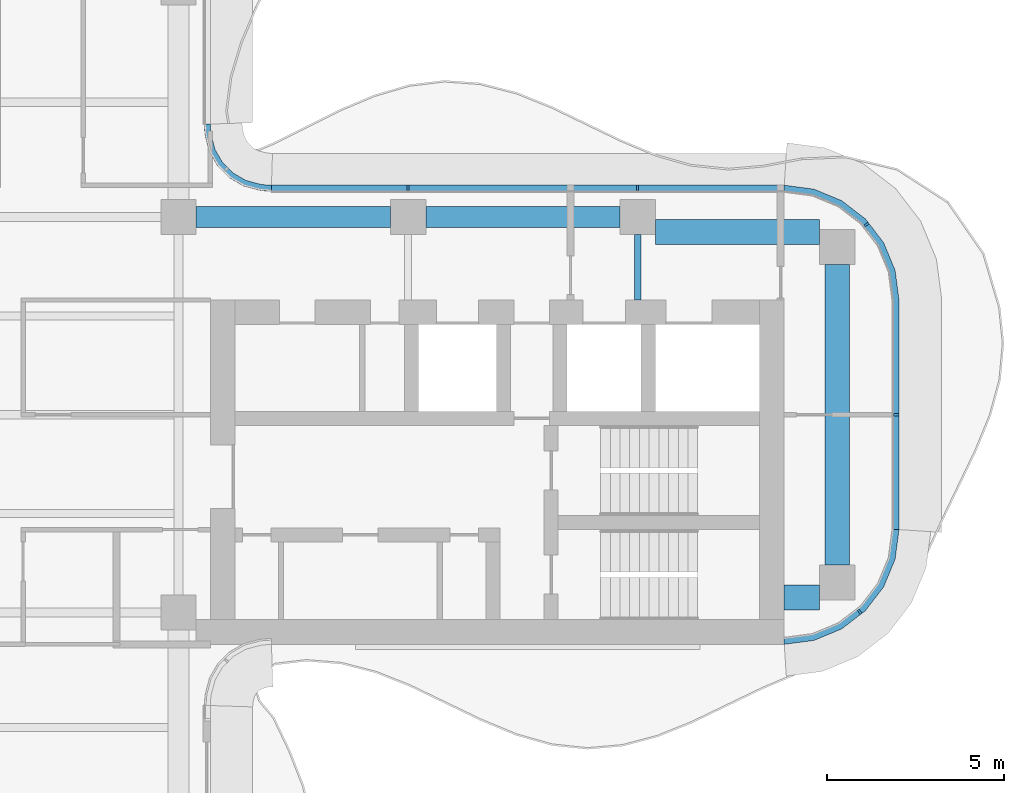
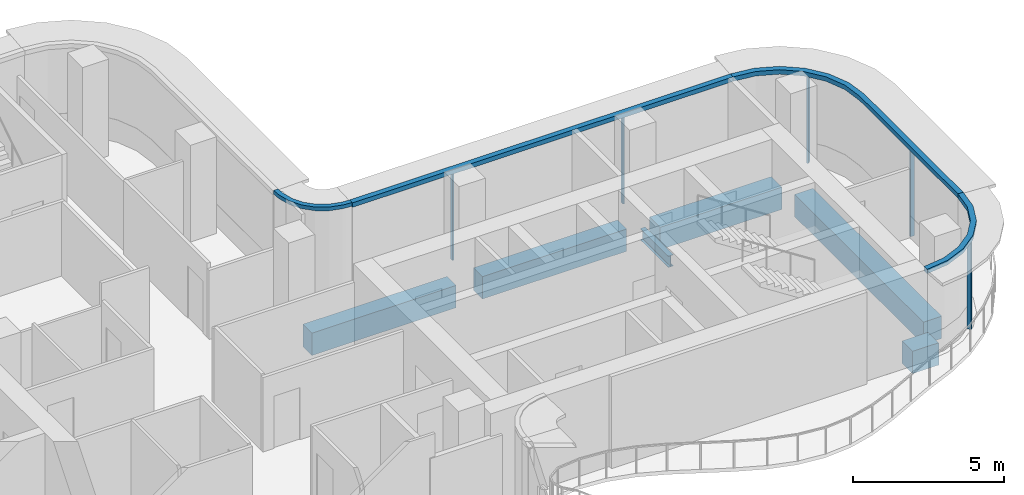
# One storey, part 6 of 16: 9 members, 6 beams, 4 elements without a shape of their own.
"""IFC4 building model written with IfcOpenShell, lengths in metres."""

from ifc_helpers import new_model, si_unit, direction, frame, origin, origin_2d, place, context, subcontext, project, spatial, polyline, rectangle, i_section, outline, extrude, source, transform, mapped, material, layer, layer_set, material_profile, profile_set, type_object, element, aggregate, save


model = new_model("IFC4")

# Units and contexts
model_context = context("Model", 3, precision=1e-05, world=origin(), true_north=direction((0.0, 1.0)))
body_context = subcontext(model_context, "Body", "Model", "MODEL_VIEW")
ifc_project = project(units=[si_unit("LENGTHUNIT", "METRE"), si_unit("AREAUNIT", "SQUARE_METRE"), si_unit("VOLUMEUNIT", "CUBIC_METRE"), si_unit("PLANEANGLEUNIT", "RADIAN"), si_unit("MASSUNIT", "GRAM", prefix="KILO")], contexts=[model_context])

# Site, building, storey
site_placement = place(None, origin())
site = spatial("IfcSite", under=ifc_project, at=site_placement, CompositionType="ELEMENT")
building_placement = place(site_placement, origin())
building = spatial("IfcBuilding", under=site, at=building_placement, Name="Trellis Farm Tower", CompositionType="ELEMENT")
storey_placement = place(building_placement, frame((0.0, 0.0, 314.5)))
storey = spatial("IfcBuildingStorey", under=building, at=storey_placement, Name="L71", CompositionType="ELEMENT", Elevation=314.5)

# Beams
ifc_material_1 = material(Name="Steel S355", Category="steel")
ifc_material_profile_1 = material_profile(ifc_material_1, i_section(OverallWidth=0.1904296875, OverallDepth=0.45703125, WebThickness=0.009033203125, FlangeThickness=0.014404296875, FilletRadius=0.01025390625, at=origin_2d()), Name="UB 457x191x74")
ifc_profile_set_1 = profile_set([ifc_material_profile_1], Name="Steel S355")
beam_type_1 = type_object("IfcBeamType", Name="UB 457x191x74", PredefinedType="BEAM", material=ifc_profile_set_1)
shared_shape_1 = source(origin(), body_context, "Body", "SweptSolid", [
    extrude(i_section(OverallWidth=0.1904296875, OverallDepth=0.45703125, WebThickness=0.009033203125, FlangeThickness=0.014404296875, FilletRadius=0.01025390625, at=origin_2d()), origin(), (0.0, 0.0, 1.0), 1.85009765625),
])
beam_1_placement = place(storey_placement, frame((18.60009765625, 3.25, -0.428466796875), z_axis=(0.0, 1.0, 0.0), x_axis=(-1.0, 0.0, 0.0)))
element("IfcBeam", 1, at=beam_1_placement, inside=storey, type_object=beam_type_1, Name="Girder", PredefinedType="BEAM", context=body_context, shape_type="MappedRepresentation", body=[
    mapped(shared_shape_1, transform((0.0, 0.0, 0.0))),
])
ifc_material_2 = material(Name="Concrete C60/75", Category="concrete")
ifc_material_profile_2 = material_profile(ifc_material_2, rectangle(XDim=0.60009765625, YDim=0.89990234375, at=origin_2d()), Name="RC spandrel beam 600x900 C60/75")
ifc_profile_set_2 = profile_set([ifc_material_profile_2], Name="Concrete C60/75")
beam_type_2 = type_object("IfcBeamType", Name="RC spandrel beam 600x900 C60/75", PredefinedType="SPANDREL", material=ifc_profile_set_2)
shared_shape_2 = source(origin(), body_context, "Body", "SweptSolid", [
    extrude(rectangle(XDim=0.60009765625, YDim=0.89990234375, at=origin_2d()), origin(), (0.0, 0.0, 1.0), 5.5),
])
for number, where, z_axis, x_axis, name in (
    (2, (6.10009765625, 5.60009765625, -0.64990234375), (1.0, 0.0, 0.0), (0.0, 1.0, 0.0), "Girder"),
    (3, (12.60009765625, 5.60009765625, -0.64990234375), (1.0, 0.0, 0.0), (0.0, 1.0, 0.0), "Girder"),
):
    element("IfcBeam", number, at=place(storey_placement, frame(where, z_axis=z_axis, x_axis=x_axis)), inside=storey, type_object=beam_type_2, Name=name, PredefinedType="SPANDREL", context=body_context, shape_type="MappedRepresentation", body=[
        mapped(shared_shape_2, transform((0.0, 0.0, 0.0))),
    ])
ifc_material_profile_3 = material_profile(ifc_material_2, rectangle(XDim=0.699951171875, YDim=0.89990234375, at=origin_2d()), Name="RC spandrel beam 700x900 C60/75")
ifc_profile_set_3 = profile_set([ifc_material_profile_3], Name="Concrete C60/75")
beam_type_3 = type_object("IfcBeamType", Name="RC spandrel beam 700x900 C60/75", PredefinedType="SPANDREL", material=ifc_profile_set_3)
shared_shape_3 = source(origin(), body_context, "Body", "SweptSolid", [
    extrude(rectangle(XDim=0.699951171875, YDim=0.89990234375, at=origin_2d()), origin(), (0.0, 0.0, 1.0), 1.0),
])
beam_2_placement = place(storey_placement, frame((22.75, -5.175048828125, -0.64990234375), z_axis=(1.0, 0.0, 0.0), x_axis=(0.0, 1.0, 0.0)))
element("IfcBeam", 4, at=beam_2_placement, inside=storey, type_object=beam_type_3, Name="Girder", PredefinedType="SPANDREL", context=body_context, shape_type="MappedRepresentation", body=[
    mapped(shared_shape_3, transform((0.0, 0.0, 0.0))),
])
shared_shape_4 = source(origin(), body_context, "Body", "SweptSolid", [
    extrude(rectangle(XDim=0.699951171875, YDim=0.89990234375, at=origin_2d()), origin(), (0.0, 0.0, 1.0), 4.64990234375),
])
beam_3_placement = place(storey_placement, frame((19.10009765625, 5.175048828125, -0.64990234375), z_axis=(1.0, 0.0, 0.0), x_axis=(0.0, 1.0, 0.0)))
element("IfcBeam", 5, at=beam_3_placement, inside=storey, type_object=beam_type_3, Name="Girder", PredefinedType="SPANDREL", context=body_context, shape_type="MappedRepresentation", body=[
    mapped(shared_shape_4, transform((0.0, 0.0, 0.0))),
])
shared_shape_5 = source(origin(), body_context, "Body", "SweptSolid", [
    extrude(rectangle(XDim=0.699951171875, YDim=0.89990234375, at=origin_2d()), origin(), (0.0, 0.0, 1.0), 8.5),
])
beam_4_placement = place(storey_placement, frame((24.25, -4.25, -0.64990234375), z_axis=(0.0, 1.0, 0.0), x_axis=(-1.0, 0.0, 0.0)))
element("IfcBeam", 6, at=beam_4_placement, inside=storey, type_object=beam_type_3, Name="Girder", PredefinedType="SPANDREL", context=body_context, shape_type="MappedRepresentation", body=[
    mapped(shared_shape_5, transform((0.0, 0.0, 0.0))),
])

# Curtain wall, member
ifc_material_3 = material(Name="Aluminium and glass curtain wall", Category="aluminium")
ifc_layer_1 = layer(ifc_material_3, 0.166015625)
ifc_layer_set_1 = layer_set([ifc_layer_1], Name="WINTER GARDEN CURTAIN WALL CW3")
curtain_wall_type_1 = type_object("IfcCurtainWallType", Name="WINTER GARDEN CURTAIN WALL CW3", PredefinedType="NOTDEFINED", material=ifc_layer_set_1)
placement_1 = place(storey_placement, origin())
curtain_wall_1 = element("IfcCurtainWall", 7, at=placement_1, inside=storey, type_object=curtain_wall_type_1, Name="CW3 003", PredefinedType="NOTDEFINED")
ifc_material_4 = material(Name="Aluminium extrusion 6063-T6", Category="aluminium")
ifc_layer_2 = layer(ifc_material_4, 0.169921875)
ifc_layer_set_2 = layer_set([ifc_layer_2], Name="Aluminium extrusion 6063-T6")
member_type_1 = type_object("IfcMemberType", Name="CW3 TRANSOM 170x150", PredefinedType="USERDEFINED", material=ifc_layer_set_2)
shared_shape_6 = source(origin(), body_context, "Body", "SweptSolid", [
    extrude(outline(polyline([(8.2314453125, 6.5), (8.01953125, 6.513916015625), (7.91552734375, 6.527587890625), (7.508544921875, 6.63671875), (7.144287109375, 6.846923828125), (6.846923828125, 7.144287109375), (6.63671875, 7.508544921875), (6.527587890625, 7.91552734375), (6.513916015625, 8.01953125), (6.5, 8.2314453125), (6.330078125, 8.225830078125), (6.3447265625, 8.0029296875), (6.360595703125, 7.88232421875), (6.478271484375, 7.44287109375), (6.7109375, 7.0400390625), (7.0400390625, 6.7109375), (7.44287109375, 6.478271484375), (7.88232421875, 6.360595703125), (8.0029296875, 6.3447265625), (8.225830078125, 6.330078125), (8.2314453125, 6.5)])), origin(), (0.0, 0.0, 1.0), 0.14990234375),
])
member_1_placement = place(storey_placement, frame((0.0, 0.0, 3.550048828125)))
member_1 = element("IfcMember", 8, at=member_1_placement, type_object=member_type_1, Name="TR3 003", ObjectType="TRANSOM", PredefinedType="USERDEFINED", context=body_context, shape_type="MappedRepresentation", body=[
    mapped(shared_shape_6, transform((0.0, 0.0, 0.0))),
])
aggregate(curtain_wall_1, [member_1])

ifc_layer_3 = layer(ifc_material_3, 0.18994140625)
ifc_layer_set_3 = layer_set([ifc_layer_3], Name="RIBBON CURTAIN WALL CW1")
curtain_wall_type_2 = type_object("IfcCurtainWallType", Name="RIBBON CURTAIN WALL CW1", PredefinedType="NOTDEFINED", material=ifc_layer_set_3)
curtain_wall_2 = element("IfcCurtainWall", 9, at=placement_1, inside=storey, type_object=curtain_wall_type_2, Name="CW1 006", PredefinedType="NOTDEFINED")
ifc_material_profile_4 = material_profile(ifc_material_4, rectangle(XDim=0.06005859375, YDim=0.14990234375, at=origin_2d()), Name="MULLION 60x150")
ifc_profile_set_4 = profile_set([ifc_material_profile_4], Name="Aluminium extrusion 6063-T6")
member_type_2 = type_object("IfcMemberType", Name="CW1 MULLION 60x150", PredefinedType="MULLION", material=ifc_profile_set_4)
shared_shape_7 = source(origin(), body_context, "Body", "SweptSolid", [
    extrude(rectangle(XDim=0.06005859375, YDim=0.14990234375, at=origin_2d()), origin(), (0.0, 0.0, 1.0), 3.52001953125),
])
member_2_placement = place(storey_placement, frame((24.885498046875, -5.578369140625, 0.0), z_axis=(0.0, 0.0, 1.0), x_axis=(0.793353340291, 0.608761429009, 0.0)))
member_2 = element("IfcMember", 10, at=member_2_placement, type_object=member_type_2, Name="MU1 006-01", PredefinedType="MULLION", context=body_context, shape_type="MappedRepresentation", body=[
    mapped(shared_shape_7, transform((0.0, 0.0, 0.0))),
])

# Curtain wall, members
curtain_wall_3 = element("IfcCurtainWall", 11, at=placement_1, inside=storey, type_object=curtain_wall_type_2, Name="CW1 007", PredefinedType="NOTDEFINED")
member_3_placement = place(storey_placement, frame((25.925048828125, 0.0, 0.0), z_axis=(0.0, 0.0, 1.0), x_axis=(0.0, 1.0, 0.0)))
member_3 = element("IfcMember", 12, at=member_3_placement, type_object=member_type_2, Name="MU1 007-01", PredefinedType="MULLION", context=body_context, shape_type="MappedRepresentation", body=[
    mapped(shared_shape_7, transform((0.0, 0.0, 0.0))),
])
member_4_placement = place(storey_placement, frame((25.078369140625, 5.385498046875, 0.0), z_axis=(0.0, 0.0, 1.0), x_axis=(-0.608761429009, 0.793353340291, 0.0)))
member_4 = element("IfcMember", 13, at=member_4_placement, type_object=member_type_2, Name="MU1 007-02", PredefinedType="MULLION", context=body_context, shape_type="MappedRepresentation", body=[
    mapped(shared_shape_7, transform((0.0, 0.0, 0.0))),
])

curtain_wall_4 = element("IfcCurtainWall", 14, at=placement_1, inside=storey, type_object=curtain_wall_type_2, Name="CW1 008", PredefinedType="NOTDEFINED")
member_5_placement = place(storey_placement, frame((18.60009765625, 6.425048828125, 0.0), z_axis=(0.0, 0.0, 1.0), x_axis=(-1.0, 0.0, 0.0)))
member_5 = element("IfcMember", 15, at=member_5_placement, type_object=member_type_2, Name="MU1 008-01", PredefinedType="MULLION", context=body_context, shape_type="MappedRepresentation", body=[
    mapped(shared_shape_7, transform((0.0, 0.0, 0.0))),
])
member_6_placement = place(storey_placement, frame((12.10009765625, 6.425048828125, 0.0), z_axis=(0.0, 0.0, 1.0), x_axis=(-1.0, 0.0, 0.0)))
member_6 = element("IfcMember", 16, at=member_6_placement, type_object=member_type_2, Name="MU1 008-02", PredefinedType="MULLION", context=body_context, shape_type="MappedRepresentation", body=[
    mapped(shared_shape_7, transform((0.0, 0.0, 0.0))),
])

# Member
ifc_layer_4 = layer(ifc_material_4, 0.199951171875)
ifc_layer_set_4 = layer_set([ifc_layer_4], Name="Aluminium extrusion 6063-T6")
member_type_3 = type_object("IfcMemberType", Name="CW1 TRANSOM 200x180", PredefinedType="USERDEFINED", material=ifc_layer_set_4)
shared_shape_8 = source(origin(), body_context, "Body", "SweptSolid", [
    extrude(outline(polyline([(22.75, -6.5), (23.591064453125, -6.38916015625), (24.375, -6.064697265625), (25.048095703125, -5.548095703125), (25.564697265625, -4.875), (25.88916015625, -4.091064453125), (26.0, -3.25), (25.800048828125, -3.23681640625), (25.6943359375, -4.0390625), (25.389892578125, -4.774169921875), (24.905517578125, -5.405517578125), (24.274169921875, -5.889892578125), (23.5390625, -6.1943359375), (22.73681640625, -6.300048828125), (22.75, -6.5)])), origin(), (0.0, 0.0, 1.0), 0.179931640625),
])
placement_2 = place(storey_placement, frame((0.0, 0.0, 3.52001953125)))
member_7 = element("IfcMember", 17, at=placement_2, type_object=member_type_3, Name="TR1 006", ObjectType="TRANSOM", PredefinedType="USERDEFINED", context=body_context, shape_type="MappedRepresentation", body=[
    mapped(shared_shape_8, transform((0.0, 0.0, 0.0))),
])

aggregate(curtain_wall_2, [member_2, member_7])

shared_shape_9 = source(origin(), body_context, "Body", "SweptSolid", [
    extrude(outline(polyline([(22.75, 6.5), (8.2314453125, 6.5), (8.224853515625, 6.300048828125), (22.73681640625, 6.300048828125), (22.75, 6.5)])), origin(), (0.0, 0.0, 1.0), 0.179931640625),
])
member_8 = element("IfcMember", 18, at=placement_2, type_object=member_type_3, Name="TR1 008", ObjectType="TRANSOM", PredefinedType="USERDEFINED", context=body_context, shape_type="MappedRepresentation", body=[
    mapped(shared_shape_9, transform((0.0, 0.0, 0.0))),
])

aggregate(curtain_wall_4, [member_5, member_6, member_8])

shared_shape_10 = source(origin(), body_context, "Body", "SweptSolid", [
    extrude(outline(polyline([(26.0, -3.25), (26.0, 3.25), (25.88916015625, 4.091064453125), (25.564697265625, 4.875), (25.048095703125, 5.548095703125), (24.375, 6.064697265625), (23.591064453125, 6.38916015625), (22.75, 6.5), (22.73681640625, 6.300048828125), (23.5390625, 6.1943359375), (24.274169921875, 5.889892578125), (24.905517578125, 5.405517578125), (25.389892578125, 4.774169921875), (25.6943359375, 4.0390625), (25.800048828125, 3.23681640625), (25.800048828125, -3.23681640625), (26.0, -3.25)])), origin(), (0.0, 0.0, 1.0), 0.179931640625),
])
member_9 = element("IfcMember", 19, at=placement_2, type_object=member_type_3, Name="TR1 007", ObjectType="TRANSOM", PredefinedType="USERDEFINED", context=body_context, shape_type="MappedRepresentation", body=[
    mapped(shared_shape_10, transform((0.0, 0.0, 0.0))),
])

aggregate(curtain_wall_3, [member_3, member_4, member_9])

save(model, "model.ifc")
